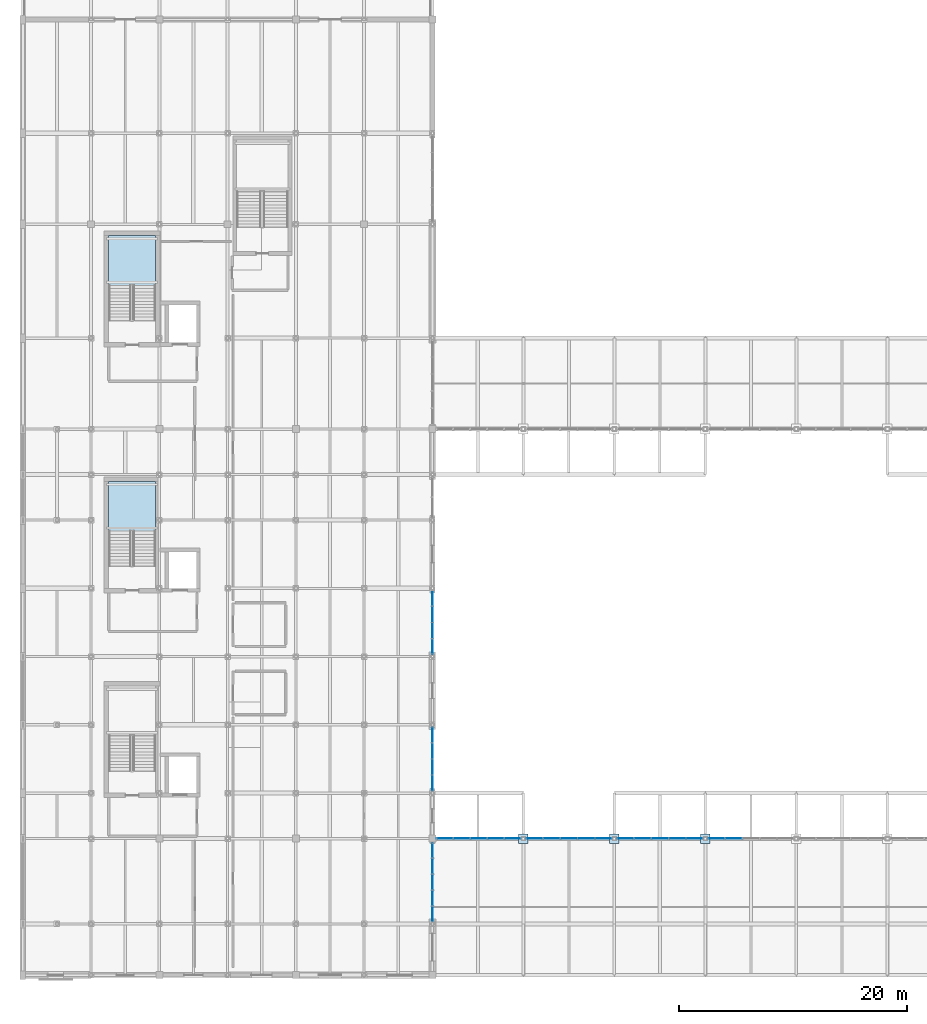
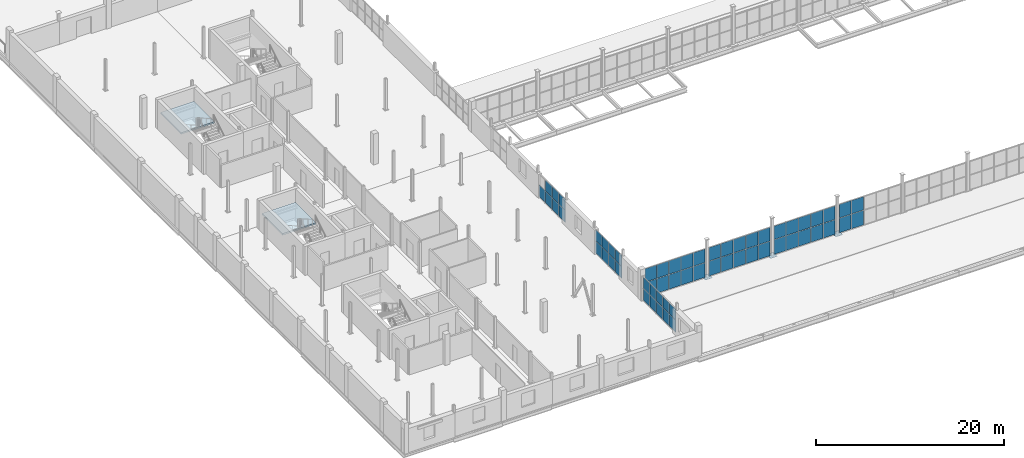
# One storey, part 74 of 96: 62 plates, 2 slabs, 9 elements without a shape of their own.
"""IFC4 building model written with IfcOpenShell, lengths in metres."""

from ifc_helpers import new_model, si_unit, direction, frame, origin, origin_2d, place, context, subcontext, project, spatial, polyline, rectangle, outline, extrude, material, layer, layer_set, type_object, element, aggregate, save


model = new_model("IFC4")

# Units and contexts
model_context = context("Model", 3, precision=1e-05, world=origin(), true_north=direction((0.0, 1.0)))
body_context = subcontext(model_context, "Body", "Model", "MODEL_VIEW")
ifc_project = project(units=[si_unit("LENGTHUNIT", "METRE"), si_unit("AREAUNIT", "SQUARE_METRE"), si_unit("VOLUMEUNIT", "CUBIC_METRE"), si_unit("PLANEANGLEUNIT", "RADIAN"), si_unit("MASSUNIT", "GRAM", prefix="KILO")], contexts=[model_context])

# Site, building, storey
site_placement = place(None, origin())
site = spatial("IfcSite", under=ifc_project, at=site_placement, CompositionType="ELEMENT")
building_placement = place(site_placement, origin())
building = spatial("IfcBuilding", under=site, at=building_placement, Name="Verrall Gate Interchange", CompositionType="ELEMENT")
storey_placement = place(building_placement, frame((0.0, 0.0, 11.39990234375)))
storey = spatial("IfcBuildingStorey", under=building, at=storey_placement, Name="L03", CompositionType="ELEMENT", Elevation=11.39990234375)

# Plates
ifc_material_1 = material(Name="Structural Steel CSA G40.21 350WT Cat 4", Category="steel")
ifc_layer_1 = layer(ifc_material_1, 0.050048828125)
ifc_layer_set_1 = layer_set([ifc_layer_1], Name="Structural Steel CSA G40.21 350WT Cat 4")
plate_type_1 = type_object("IfcPlateType", Name="BP-02 Base Plate 50", PredefinedType="USERDEFINED", material=ifc_layer_set_1)
for number, where, z_axis, x_axis, name in (
    (1, (44.0, 12.0, 0.0), (0.0, 0.0, 1.0), (1.0, 0.0, 0.0), "Concourse Column Base Plate 1511"),
    (2, (52.0, 12.0, 0.0), (0.0, 0.0, 1.0), (1.0, 0.0, 0.0), "Concourse Column Base Plate 1513"),
    (3, (60.0, 12.0, 0.0), (0.0, 0.0, 1.0), (1.0, 0.0, 0.0), "Concourse Column Base Plate 1515"),
):
    element("IfcPlate", number, at=place(storey_placement, frame(where, z_axis=z_axis, x_axis=x_axis)), inside=storey, type_object=plate_type_1, Name=name, ObjectType="BASE_PLATE", PredefinedType="USERDEFINED", context=body_context, shape_type="SweptSolid", body=[
        extrude(rectangle(XDim=0.85009765625, YDim=0.85009765625, at=origin_2d()), origin(), (0.0, 0.0, 1.0), 0.050048828125),
    ])

# Curtain wall, plates
ifc_material_2 = material(Name="Thermally Broken Anodized Aluminium Curtain Wall Framing", Category="aluminium")
curtain_wall_type_1 = type_object("IfcCurtainWallType", Name="CW-31 Unitized Curtain Wall 5682x3110", PredefinedType="NOTDEFINED", material=ifc_material_2)
curtain_wall_1_placement = place(storey_placement, origin())
curtain_wall_1 = element("IfcCurtainWall", 4, at=curtain_wall_1_placement, inside=storey, type_object=curtain_wall_type_1, Name="L03 Unitized Curtain Wall CW-L03-104", PredefinedType="NOTDEFINED")
ifc_material_3 = material(Name="Triple-Glazed Low-E Argon Insulated Curtain Panel (U=1.45)", Category="glass")
ifc_layer_2 = layer(ifc_material_3, 0.030029296875)
ifc_layer_set_2 = layer_set([ifc_layer_2], Name="Triple-Glazed Low-E Argon Insulated Curtain Panel (U=1.45)")
plate_type_2 = type_object("IfcPlateType", Name="CP-01 Curtain Glazing Panel 30", PredefinedType="CURTAIN_PANEL", material=ifc_layer_set_2)
plate_1_placement = place(storey_placement, frame((36.0, 16.885498046875, 0.0546875), z_axis=(0.0, 0.0, 1.0), x_axis=(0.0, 1.0, 0.0)))
plate_1 = element("IfcPlate", 5, at=plate_1_placement, type_object=plate_type_2, Name="CW-L03-104 Glazing Panel 1.1", PredefinedType="CURTAIN_PANEL", context=body_context, shape_type="SweptSolid", body=[
    extrude(rectangle(XDim=1.34375, YDim=0.030029296875, at=origin_2d()), origin(), (0.0, 0.0, 1.0), 1.54052734375),
])
plate_2_placement = place(storey_placement, frame((36.0, 16.885498046875, 1.639404296875), z_axis=(0.0, 0.0, 1.0), x_axis=(0.0, 1.0, 0.0)))
plate_2 = element("IfcPlate", 6, at=plate_2_placement, type_object=plate_type_2, Name="CW-L03-104 Glazing Panel 1.2", PredefinedType="CURTAIN_PANEL", context=body_context, shape_type="SweptSolid", body=[
    extrude(rectangle(XDim=1.34375, YDim=0.030029296875, at=origin_2d()), origin(), (0.0, 0.0, 1.0), 1.416015625),
])
plate_3_placement = place(storey_placement, frame((36.0, 18.289794921875, 0.0546875), z_axis=(0.0, 0.0, 1.0), x_axis=(0.0, 1.0, 0.0)))
plate_3 = element("IfcPlate", 7, at=plate_3_placement, type_object=plate_type_2, Name="CW-L03-104 Glazing Panel 2.1", PredefinedType="CURTAIN_PANEL", context=body_context, shape_type="SweptSolid", body=[
    extrude(rectangle(XDim=1.376220703125, YDim=0.030029296875, at=origin_2d()), origin(), (0.0, 0.0, 1.0), 1.54052734375),
])
plate_4_placement = place(storey_placement, frame((36.0, 18.289794921875, 1.639404296875), z_axis=(0.0, 0.0, 1.0), x_axis=(0.0, 1.0, 0.0)))
plate_4 = element("IfcPlate", 8, at=plate_4_placement, type_object=plate_type_2, Name="CW-L03-104 Glazing Panel 2.2", PredefinedType="CURTAIN_PANEL", context=body_context, shape_type="SweptSolid", body=[
    extrude(rectangle(XDim=1.376220703125, YDim=0.030029296875, at=origin_2d()), origin(), (0.0, 0.0, 1.0), 1.416015625),
])
plate_5_placement = place(storey_placement, frame((36.0, 19.710205078125, 0.0546875), z_axis=(0.0, 0.0, 1.0), x_axis=(0.0, 1.0, 0.0)))
plate_5 = element("IfcPlate", 9, at=plate_5_placement, type_object=plate_type_2, Name="CW-L03-104 Glazing Panel 3.1", PredefinedType="CURTAIN_PANEL", context=body_context, shape_type="SweptSolid", body=[
    extrude(rectangle(XDim=1.376220703125, YDim=0.030029296875, at=origin_2d()), origin(), (0.0, 0.0, 1.0), 1.54052734375),
])
plate_6_placement = place(storey_placement, frame((36.0, 19.710205078125, 1.639404296875), z_axis=(0.0, 0.0, 1.0), x_axis=(0.0, 1.0, 0.0)))
plate_6 = element("IfcPlate", 10, at=plate_6_placement, type_object=plate_type_2, Name="CW-L03-104 Glazing Panel 3.2", PredefinedType="CURTAIN_PANEL", context=body_context, shape_type="SweptSolid", body=[
    extrude(rectangle(XDim=1.376220703125, YDim=0.030029296875, at=origin_2d()), origin(), (0.0, 0.0, 1.0), 1.416015625),
])
plate_7_placement = place(storey_placement, frame((36.0, 21.114501953125, 0.0546875), z_axis=(0.0, 0.0, 1.0), x_axis=(0.0, 1.0, 0.0)))
plate_7 = element("IfcPlate", 11, at=plate_7_placement, type_object=plate_type_2, Name="CW-L03-104 Glazing Panel 4.1", PredefinedType="CURTAIN_PANEL", context=body_context, shape_type="SweptSolid", body=[
    extrude(rectangle(XDim=1.34375, YDim=0.030029296875, at=origin_2d()), origin(), (0.0, 0.0, 1.0), 1.54052734375),
])
plate_8_placement = place(storey_placement, frame((36.0, 21.114501953125, 1.639404296875), z_axis=(0.0, 0.0, 1.0), x_axis=(0.0, 1.0, 0.0)))
plate_8 = element("IfcPlate", 12, at=plate_8_placement, type_object=plate_type_2, Name="CW-L03-104 Glazing Panel 4.2", PredefinedType="CURTAIN_PANEL", context=body_context, shape_type="SweptSolid", body=[
    extrude(rectangle(XDim=1.34375, YDim=0.030029296875, at=origin_2d()), origin(), (0.0, 0.0, 1.0), 1.416015625),
])
aggregate(curtain_wall_1, [plate_1, plate_2, plate_3, plate_4, plate_5, plate_6, plate_7, plate_8])

curtain_wall_2_placement = place(storey_placement, origin())
curtain_wall_2 = element("IfcCurtainWall", 13, at=curtain_wall_2_placement, inside=storey, type_object=curtain_wall_type_1, Name="L03 Unitized Curtain Wall CW-L03-105", PredefinedType="NOTDEFINED")
plate_9_placement = place(storey_placement, frame((36.0, 28.887939453125, 0.06298828125), z_axis=(0.0, 0.0, 1.0), x_axis=(0.0, 1.0, 0.0)))
plate_9 = element("IfcPlate", 14, at=plate_9_placement, type_object=plate_type_2, Name="CW-L03-105 Glazing Panel 1.1", PredefinedType="CURTAIN_PANEL", context=body_context, shape_type="SweptSolid", body=[
    extrude(rectangle(XDim=1.33203125, YDim=0.030029296875, at=origin_2d()), origin(), (0.0, 0.0, 1.0), 1.52880859375),
])
plate_10_placement = place(storey_placement, frame((36.0, 28.887939453125, 1.642822265625), z_axis=(0.0, 0.0, 1.0), x_axis=(0.0, 1.0, 0.0)))
plate_10 = element("IfcPlate", 15, at=plate_10_placement, type_object=plate_type_2, Name="CW-L03-105 Glazing Panel 1.2", PredefinedType="CURTAIN_PANEL", context=body_context, shape_type="SweptSolid", body=[
    extrude(rectangle(XDim=1.33203125, YDim=0.030029296875, at=origin_2d()), origin(), (0.0, 0.0, 1.0), 1.404296875),
])
plate_11_placement = place(storey_placement, frame((36.0, 30.289794921875, 0.06298828125), z_axis=(0.0, 0.0, 1.0), x_axis=(0.0, 1.0, 0.0)))
plate_11 = element("IfcPlate", 16, at=plate_11_placement, type_object=plate_type_2, Name="CW-L03-105 Glazing Panel 2.1", PredefinedType="CURTAIN_PANEL", context=body_context, shape_type="SweptSolid", body=[
    extrude(rectangle(XDim=1.369384765625, YDim=0.030029296875, at=origin_2d()), origin(), (0.0, 0.0, 1.0), 1.52880859375),
])
plate_12_placement = place(storey_placement, frame((36.0, 30.289794921875, 1.642822265625), z_axis=(0.0, 0.0, 1.0), x_axis=(0.0, 1.0, 0.0)))
plate_12 = element("IfcPlate", 17, at=plate_12_placement, type_object=plate_type_2, Name="CW-L03-105 Glazing Panel 2.2", PredefinedType="CURTAIN_PANEL", context=body_context, shape_type="SweptSolid", body=[
    extrude(rectangle(XDim=1.369384765625, YDim=0.030029296875, at=origin_2d()), origin(), (0.0, 0.0, 1.0), 1.404296875),
])
plate_13_placement = place(storey_placement, frame((36.0, 31.710205078125, 0.06298828125), z_axis=(0.0, 0.0, 1.0), x_axis=(0.0, 1.0, 0.0)))
plate_13 = element("IfcPlate", 18, at=plate_13_placement, type_object=plate_type_2, Name="CW-L03-105 Glazing Panel 3.1", PredefinedType="CURTAIN_PANEL", context=body_context, shape_type="SweptSolid", body=[
    extrude(rectangle(XDim=1.369384765625, YDim=0.030029296875, at=origin_2d()), origin(), (0.0, 0.0, 1.0), 1.52880859375),
])
plate_14_placement = place(storey_placement, frame((36.0, 31.710205078125, 1.642822265625), z_axis=(0.0, 0.0, 1.0), x_axis=(0.0, 1.0, 0.0)))
plate_14 = element("IfcPlate", 19, at=plate_14_placement, type_object=plate_type_2, Name="CW-L03-105 Glazing Panel 3.2", PredefinedType="CURTAIN_PANEL", context=body_context, shape_type="SweptSolid", body=[
    extrude(rectangle(XDim=1.369384765625, YDim=0.030029296875, at=origin_2d()), origin(), (0.0, 0.0, 1.0), 1.404296875),
])
plate_15_placement = place(storey_placement, frame((36.0, 33.112060546875, 0.06298828125), z_axis=(0.0, 0.0, 1.0), x_axis=(0.0, 1.0, 0.0)))
plate_15 = element("IfcPlate", 20, at=plate_15_placement, type_object=plate_type_2, Name="CW-L03-105 Glazing Panel 4.1", PredefinedType="CURTAIN_PANEL", context=body_context, shape_type="SweptSolid", body=[
    extrude(rectangle(XDim=1.33203125, YDim=0.030029296875, at=origin_2d()), origin(), (0.0, 0.0, 1.0), 1.52880859375),
])
aggregate(curtain_wall_2, [plate_9, plate_10, plate_11, plate_12, plate_13, plate_14, plate_15])

ifc_material_4 = material(Name="Thermally Broken Anodized Aluminium Curtain Wall Framing", Category="aluminium")
curtain_wall_type_2 = type_object("IfcCurtainWallType", Name="CW-52 Unitized Curtain Wall 7484x3800", PredefinedType="NOTDEFINED", material=ifc_material_4)
curtain_wall_3_placement = place(storey_placement, origin())
curtain_wall_3 = element("IfcCurtainWall", 21, at=curtain_wall_3_placement, inside=storey, type_object=curtain_wall_type_2, Name="L03 Unitized Curtain Wall CW-L03-CLR-164", PredefinedType="NOTDEFINED")
plate_16_placement = place(storey_placement, frame((37.09912109375, 12.0, 0.06298828125), z_axis=(0.0, 0.0, 1.0), x_axis=(1.0, 0.0, 0.0)))
plate_16 = element("IfcPlate", 22, at=plate_16_placement, type_object=plate_type_2, Name="CW-L03-CLR-164 Glazing Panel 1.1", PredefinedType="CURTAIN_PANEL", context=body_context, shape_type="SweptSolid", body=[
    extrude(rectangle(XDim=1.408203125, YDim=0.030029296875, at=origin_2d()), origin(), (0.0, 0.0, 1.0), 1.887451171875),
])
plate_17_placement = place(storey_placement, frame((37.09912109375, 12.0, 2.00146484375), z_axis=(0.0, 0.0, 1.0), x_axis=(1.0, 0.0, 0.0)))
plate_17 = element("IfcPlate", 23, at=plate_17_placement, type_object=plate_type_2, Name="CW-L03-CLR-164 Glazing Panel 1.2", PredefinedType="CURTAIN_PANEL", context=body_context, shape_type="SweptSolid", body=[
    extrude(rectangle(XDim=1.408203125, YDim=0.030029296875, at=origin_2d()), origin(), (0.0, 0.0, 1.0), 1.735595703125),
])
plate_18_placement = place(storey_placement, frame((38.576904296875, 12.0, 0.06298828125), z_axis=(0.0, 0.0, 1.0), x_axis=(1.0, 0.0, 0.0)))
plate_18 = element("IfcPlate", 24, at=plate_18_placement, type_object=plate_type_2, Name="CW-L03-CLR-164 Glazing Panel 2.1", PredefinedType="CURTAIN_PANEL", context=body_context, shape_type="SweptSolid", body=[
    extrude(rectangle(XDim=1.44580078125, YDim=0.030029296875, at=origin_2d()), origin(), (0.0, 0.0, 1.0), 1.887451171875),
])
plate_19_placement = place(storey_placement, frame((38.576904296875, 12.0, 2.00146484375), z_axis=(0.0, 0.0, 1.0), x_axis=(1.0, 0.0, 0.0)))
plate_19 = element("IfcPlate", 25, at=plate_19_placement, type_object=plate_type_2, Name="CW-L03-CLR-164 Glazing Panel 2.2", PredefinedType="CURTAIN_PANEL", context=body_context, shape_type="SweptSolid", body=[
    extrude(rectangle(XDim=1.44580078125, YDim=0.030029296875, at=origin_2d()), origin(), (0.0, 0.0, 1.0), 1.735595703125),
])
plate_20_placement = place(storey_placement, frame((40.07373046875, 12.0, 0.06298828125), z_axis=(0.0, 0.0, 1.0), x_axis=(1.0, 0.0, 0.0)))
plate_20 = element("IfcPlate", 26, at=plate_20_placement, type_object=plate_type_2, Name="CW-L03-CLR-164 Glazing Panel 3.1", PredefinedType="CURTAIN_PANEL", context=body_context, shape_type="SweptSolid", body=[
    extrude(rectangle(XDim=1.44580078125, YDim=0.030029296875, at=origin_2d()), origin(), (0.0, 0.0, 1.0), 1.887451171875),
])
plate_21_placement = place(storey_placement, frame((40.07373046875, 12.0, 2.00146484375), z_axis=(0.0, 0.0, 1.0), x_axis=(1.0, 0.0, 0.0)))
plate_21 = element("IfcPlate", 27, at=plate_21_placement, type_object=plate_type_2, Name="CW-L03-CLR-164 Glazing Panel 3.2", PredefinedType="CURTAIN_PANEL", context=body_context, shape_type="SweptSolid", body=[
    extrude(rectangle(XDim=1.44580078125, YDim=0.030029296875, at=origin_2d()), origin(), (0.0, 0.0, 1.0), 1.735595703125),
])
plate_22_placement = place(storey_placement, frame((41.570556640625, 12.0, 0.06298828125), z_axis=(0.0, 0.0, 1.0), x_axis=(1.0, 0.0, 0.0)))
plate_22 = element("IfcPlate", 28, at=plate_22_placement, type_object=plate_type_2, Name="CW-L03-CLR-164 Glazing Panel 4.1", PredefinedType="CURTAIN_PANEL", context=body_context, shape_type="SweptSolid", body=[
    extrude(rectangle(XDim=1.44580078125, YDim=0.030029296875, at=origin_2d()), origin(), (0.0, 0.0, 1.0), 1.887451171875),
])
plate_23_placement = place(storey_placement, frame((41.570556640625, 12.0, 2.00146484375), z_axis=(0.0, 0.0, 1.0), x_axis=(1.0, 0.0, 0.0)))
plate_23 = element("IfcPlate", 29, at=plate_23_placement, type_object=plate_type_2, Name="CW-L03-CLR-164 Glazing Panel 4.2", PredefinedType="CURTAIN_PANEL", context=body_context, shape_type="SweptSolid", body=[
    extrude(rectangle(XDim=1.44580078125, YDim=0.030029296875, at=origin_2d()), origin(), (0.0, 0.0, 1.0), 1.735595703125),
])
plate_24_placement = place(storey_placement, frame((43.04833984375, 12.0, 0.06298828125), z_axis=(0.0, 0.0, 1.0), x_axis=(1.0, 0.0, 0.0)))
plate_24 = element("IfcPlate", 30, at=plate_24_placement, type_object=plate_type_2, Name="CW-L03-CLR-164 Glazing Panel 5.1", PredefinedType="CURTAIN_PANEL", context=body_context, shape_type="SweptSolid", body=[
    extrude(rectangle(XDim=1.408203125, YDim=0.030029296875, at=origin_2d()), origin(), (0.0, 0.0, 1.0), 1.887451171875),
])
plate_25_placement = place(storey_placement, frame((43.04833984375, 12.0, 2.00146484375), z_axis=(0.0, 0.0, 1.0), x_axis=(1.0, 0.0, 0.0)))
plate_25 = element("IfcPlate", 31, at=plate_25_placement, type_object=plate_type_2, Name="CW-L03-CLR-164 Glazing Panel 5.2", PredefinedType="CURTAIN_PANEL", context=body_context, shape_type="SweptSolid", body=[
    extrude(rectangle(XDim=1.408203125, YDim=0.030029296875, at=origin_2d()), origin(), (0.0, 0.0, 1.0), 1.735595703125),
])
aggregate(curtain_wall_3, [plate_16, plate_17, plate_18, plate_19, plate_20, plate_21, plate_22, plate_23, plate_24, plate_25])

ifc_material_5 = material(Name="Thermally Broken Anodized Aluminium Curtain Wall Framing", Category="aluminium")
curtain_wall_type_3 = type_object("IfcCurtainWallType", Name="CW-53 Unitized Curtain Wall 7631x3800", PredefinedType="NOTDEFINED", material=ifc_material_5)
curtain_wall_4_placement = place(storey_placement, origin())
curtain_wall_4 = element("IfcCurtainWall", 32, at=curtain_wall_4_placement, inside=storey, type_object=curtain_wall_type_3, Name="L03 Unitized Curtain Wall CW-L03-CLR-165", PredefinedType="NOTDEFINED")
plate_26_placement = place(storey_placement, frame((44.96630859375, 12.0, 0.06298828125), z_axis=(0.0, 0.0, 1.0), x_axis=(1.0, 0.0, 0.0)))
plate_26 = element("IfcPlate", 33, at=plate_26_placement, type_object=plate_type_2, Name="CW-L03-CLR-165 Glazing Panel 1.1", PredefinedType="CURTAIN_PANEL", context=body_context, shape_type="SweptSolid", body=[
    extrude(rectangle(XDim=1.437744140625, YDim=0.030029296875, at=origin_2d()), origin(), (0.0, 0.0, 1.0), 1.887451171875),
])
plate_27_placement = place(storey_placement, frame((44.96630859375, 12.0, 2.00146484375), z_axis=(0.0, 0.0, 1.0), x_axis=(1.0, 0.0, 0.0)))
plate_27 = element("IfcPlate", 34, at=plate_27_placement, type_object=plate_type_2, Name="CW-L03-CLR-165 Glazing Panel 1.2", PredefinedType="CURTAIN_PANEL", context=body_context, shape_type="SweptSolid", body=[
    extrude(rectangle(XDim=1.437744140625, YDim=0.030029296875, at=origin_2d()), origin(), (0.0, 0.0, 1.0), 1.735595703125),
])
plate_28_placement = place(storey_placement, frame((46.473876953125, 12.0, 0.06298828125), z_axis=(0.0, 0.0, 1.0), x_axis=(1.0, 0.0, 0.0)))
plate_28 = element("IfcPlate", 35, at=plate_28_placement, type_object=plate_type_2, Name="CW-L03-CLR-165 Glazing Panel 2.1", PredefinedType="CURTAIN_PANEL", context=body_context, shape_type="SweptSolid", body=[
    extrude(rectangle(XDim=1.47509765625, YDim=0.030029296875, at=origin_2d()), origin(), (0.0, 0.0, 1.0), 1.887451171875),
])
plate_29_placement = place(storey_placement, frame((46.473876953125, 12.0, 2.00146484375), z_axis=(0.0, 0.0, 1.0), x_axis=(1.0, 0.0, 0.0)))
plate_29 = element("IfcPlate", 36, at=plate_29_placement, type_object=plate_type_2, Name="CW-L03-CLR-165 Glazing Panel 2.2", PredefinedType="CURTAIN_PANEL", context=body_context, shape_type="SweptSolid", body=[
    extrude(rectangle(XDim=1.47509765625, YDim=0.030029296875, at=origin_2d()), origin(), (0.0, 0.0, 1.0), 1.735595703125),
])
plate_30_placement = place(storey_placement, frame((48.0, 12.0, 0.06298828125), z_axis=(0.0, 0.0, 1.0), x_axis=(1.0, 0.0, 0.0)))
plate_30 = element("IfcPlate", 37, at=plate_30_placement, type_object=plate_type_2, Name="CW-L03-CLR-165 Glazing Panel 3.1", PredefinedType="CURTAIN_PANEL", context=body_context, shape_type="SweptSolid", body=[
    extrude(rectangle(XDim=1.47509765625, YDim=0.030029296875, at=origin_2d()), origin(), (0.0, 0.0, 1.0), 1.887451171875),
])
plate_31_placement = place(storey_placement, frame((48.0, 12.0, 2.00146484375), z_axis=(0.0, 0.0, 1.0), x_axis=(1.0, 0.0, 0.0)))
plate_31 = element("IfcPlate", 38, at=plate_31_placement, type_object=plate_type_2, Name="CW-L03-CLR-165 Glazing Panel 3.2", PredefinedType="CURTAIN_PANEL", context=body_context, shape_type="SweptSolid", body=[
    extrude(rectangle(XDim=1.47509765625, YDim=0.030029296875, at=origin_2d()), origin(), (0.0, 0.0, 1.0), 1.735595703125),
])
plate_32_placement = place(storey_placement, frame((49.526123046875, 12.0, 0.06298828125), z_axis=(0.0, 0.0, 1.0), x_axis=(1.0, 0.0, 0.0)))
plate_32 = element("IfcPlate", 39, at=plate_32_placement, type_object=plate_type_2, Name="CW-L03-CLR-165 Glazing Panel 4.1", PredefinedType="CURTAIN_PANEL", context=body_context, shape_type="SweptSolid", body=[
    extrude(rectangle(XDim=1.47509765625, YDim=0.030029296875, at=origin_2d()), origin(), (0.0, 0.0, 1.0), 1.887451171875),
])
plate_33_placement = place(storey_placement, frame((49.526123046875, 12.0, 2.00146484375), z_axis=(0.0, 0.0, 1.0), x_axis=(1.0, 0.0, 0.0)))
plate_33 = element("IfcPlate", 40, at=plate_33_placement, type_object=plate_type_2, Name="CW-L03-CLR-165 Glazing Panel 4.2", PredefinedType="CURTAIN_PANEL", context=body_context, shape_type="SweptSolid", body=[
    extrude(rectangle(XDim=1.47509765625, YDim=0.030029296875, at=origin_2d()), origin(), (0.0, 0.0, 1.0), 1.735595703125),
])
plate_34_placement = place(storey_placement, frame((51.03369140625, 12.0, 0.06298828125), z_axis=(0.0, 0.0, 1.0), x_axis=(1.0, 0.0, 0.0)))
plate_34 = element("IfcPlate", 41, at=plate_34_placement, type_object=plate_type_2, Name="CW-L03-CLR-165 Glazing Panel 5.1", PredefinedType="CURTAIN_PANEL", context=body_context, shape_type="SweptSolid", body=[
    extrude(rectangle(XDim=1.437744140625, YDim=0.030029296875, at=origin_2d()), origin(), (0.0, 0.0, 1.0), 1.887451171875),
])
plate_35_placement = place(storey_placement, frame((51.03369140625, 12.0, 2.00146484375), z_axis=(0.0, 0.0, 1.0), x_axis=(1.0, 0.0, 0.0)))
plate_35 = element("IfcPlate", 42, at=plate_35_placement, type_object=plate_type_2, Name="CW-L03-CLR-165 Glazing Panel 5.2", PredefinedType="CURTAIN_PANEL", context=body_context, shape_type="SweptSolid", body=[
    extrude(rectangle(XDim=1.437744140625, YDim=0.030029296875, at=origin_2d()), origin(), (0.0, 0.0, 1.0), 1.735595703125),
])
aggregate(curtain_wall_4, [plate_26, plate_27, plate_28, plate_29, plate_30, plate_31, plate_32, plate_33, plate_34, plate_35])

curtain_wall_5_placement = place(storey_placement, origin())
curtain_wall_5 = element("IfcCurtainWall", 43, at=curtain_wall_5_placement, inside=storey, type_object=curtain_wall_type_3, Name="L03 Unitized Curtain Wall CW-L03-CLR-166", PredefinedType="NOTDEFINED")
plate_36_placement = place(storey_placement, frame((52.96630859375, 12.0, 0.06298828125), z_axis=(0.0, 0.0, 1.0), x_axis=(1.0, 0.0, 0.0)))
plate_36 = element("IfcPlate", 44, at=plate_36_placement, type_object=plate_type_2, Name="CW-L03-CLR-166 Glazing Panel 1.1", PredefinedType="CURTAIN_PANEL", context=body_context, shape_type="SweptSolid", body=[
    extrude(rectangle(XDim=1.437744140625, YDim=0.030029296875, at=origin_2d()), origin(), (0.0, 0.0, 1.0), 1.887451171875),
])
plate_37_placement = place(storey_placement, frame((52.96630859375, 12.0, 2.00146484375), z_axis=(0.0, 0.0, 1.0), x_axis=(1.0, 0.0, 0.0)))
plate_37 = element("IfcPlate", 45, at=plate_37_placement, type_object=plate_type_2, Name="CW-L03-CLR-166 Glazing Panel 1.2", PredefinedType="CURTAIN_PANEL", context=body_context, shape_type="SweptSolid", body=[
    extrude(rectangle(XDim=1.437744140625, YDim=0.030029296875, at=origin_2d()), origin(), (0.0, 0.0, 1.0), 1.735595703125),
])
plate_38_placement = place(storey_placement, frame((54.473876953125, 12.0, 0.06298828125), z_axis=(0.0, 0.0, 1.0), x_axis=(1.0, 0.0, 0.0)))
plate_38 = element("IfcPlate", 46, at=plate_38_placement, type_object=plate_type_2, Name="CW-L03-CLR-166 Glazing Panel 2.1", PredefinedType="CURTAIN_PANEL", context=body_context, shape_type="SweptSolid", body=[
    extrude(rectangle(XDim=1.47509765625, YDim=0.030029296875, at=origin_2d()), origin(), (0.0, 0.0, 1.0), 1.887451171875),
])
plate_39_placement = place(storey_placement, frame((54.473876953125, 12.0, 2.00146484375), z_axis=(0.0, 0.0, 1.0), x_axis=(1.0, 0.0, 0.0)))
plate_39 = element("IfcPlate", 47, at=plate_39_placement, type_object=plate_type_2, Name="CW-L03-CLR-166 Glazing Panel 2.2", PredefinedType="CURTAIN_PANEL", context=body_context, shape_type="SweptSolid", body=[
    extrude(rectangle(XDim=1.47509765625, YDim=0.030029296875, at=origin_2d()), origin(), (0.0, 0.0, 1.0), 1.735595703125),
])
plate_40_placement = place(storey_placement, frame((56.0, 12.0, 0.06298828125), z_axis=(0.0, 0.0, 1.0), x_axis=(1.0, 0.0, 0.0)))
plate_40 = element("IfcPlate", 48, at=plate_40_placement, type_object=plate_type_2, Name="CW-L03-CLR-166 Glazing Panel 3.1", PredefinedType="CURTAIN_PANEL", context=body_context, shape_type="SweptSolid", body=[
    extrude(rectangle(XDim=1.47509765625, YDim=0.030029296875, at=origin_2d()), origin(), (0.0, 0.0, 1.0), 1.887451171875),
])
plate_41_placement = place(storey_placement, frame((56.0, 12.0, 2.00146484375), z_axis=(0.0, 0.0, 1.0), x_axis=(1.0, 0.0, 0.0)))
plate_41 = element("IfcPlate", 49, at=plate_41_placement, type_object=plate_type_2, Name="CW-L03-CLR-166 Glazing Panel 3.2", PredefinedType="CURTAIN_PANEL", context=body_context, shape_type="SweptSolid", body=[
    extrude(rectangle(XDim=1.47509765625, YDim=0.030029296875, at=origin_2d()), origin(), (0.0, 0.0, 1.0), 1.735595703125),
])
plate_42_placement = place(storey_placement, frame((57.526123046875, 12.0, 0.06298828125), z_axis=(0.0, 0.0, 1.0), x_axis=(1.0, 0.0, 0.0)))
plate_42 = element("IfcPlate", 50, at=plate_42_placement, type_object=plate_type_2, Name="CW-L03-CLR-166 Glazing Panel 4.1", PredefinedType="CURTAIN_PANEL", context=body_context, shape_type="SweptSolid", body=[
    extrude(rectangle(XDim=1.47509765625, YDim=0.030029296875, at=origin_2d()), origin(), (0.0, 0.0, 1.0), 1.887451171875),
])
plate_43_placement = place(storey_placement, frame((57.526123046875, 12.0, 2.00146484375), z_axis=(0.0, 0.0, 1.0), x_axis=(1.0, 0.0, 0.0)))
plate_43 = element("IfcPlate", 51, at=plate_43_placement, type_object=plate_type_2, Name="CW-L03-CLR-166 Glazing Panel 4.2", PredefinedType="CURTAIN_PANEL", context=body_context, shape_type="SweptSolid", body=[
    extrude(rectangle(XDim=1.47509765625, YDim=0.030029296875, at=origin_2d()), origin(), (0.0, 0.0, 1.0), 1.735595703125),
])
plate_44_placement = place(storey_placement, frame((59.03369140625, 12.0, 0.06298828125), z_axis=(0.0, 0.0, 1.0), x_axis=(1.0, 0.0, 0.0)))
plate_44 = element("IfcPlate", 52, at=plate_44_placement, type_object=plate_type_2, Name="CW-L03-CLR-166 Glazing Panel 5.1", PredefinedType="CURTAIN_PANEL", context=body_context, shape_type="SweptSolid", body=[
    extrude(rectangle(XDim=1.437744140625, YDim=0.030029296875, at=origin_2d()), origin(), (0.0, 0.0, 1.0), 1.887451171875),
])
plate_45_placement = place(storey_placement, frame((59.03369140625, 12.0, 2.00146484375), z_axis=(0.0, 0.0, 1.0), x_axis=(1.0, 0.0, 0.0)))
plate_45 = element("IfcPlate", 53, at=plate_45_placement, type_object=plate_type_2, Name="CW-L03-CLR-166 Glazing Panel 5.2", PredefinedType="CURTAIN_PANEL", context=body_context, shape_type="SweptSolid", body=[
    extrude(rectangle(XDim=1.437744140625, YDim=0.030029296875, at=origin_2d()), origin(), (0.0, 0.0, 1.0), 1.735595703125),
])
aggregate(curtain_wall_5, [plate_36, plate_37, plate_38, plate_39, plate_40, plate_41, plate_42, plate_43, plate_44, plate_45])

curtain_wall_6_placement = place(storey_placement, origin())
curtain_wall_6 = element("IfcCurtainWall", 54, at=curtain_wall_6_placement, inside=storey, type_object=curtain_wall_type_3, Name="L03 Unitized Curtain Wall CW-L03-CLR-167", PredefinedType="NOTDEFINED")
plate_46_placement = place(storey_placement, frame((60.96630859375, 12.0, 0.06298828125), z_axis=(0.0, 0.0, 1.0), x_axis=(1.0, 0.0, 0.0)))
plate_46 = element("IfcPlate", 55, at=plate_46_placement, type_object=plate_type_2, Name="CW-L03-CLR-167 Glazing Panel 1.1", PredefinedType="CURTAIN_PANEL", context=body_context, shape_type="SweptSolid", body=[
    extrude(rectangle(XDim=1.437744140625, YDim=0.030029296875, at=origin_2d()), origin(), (0.0, 0.0, 1.0), 1.887451171875),
])
plate_47_placement = place(storey_placement, frame((60.96630859375, 12.0, 2.00146484375), z_axis=(0.0, 0.0, 1.0), x_axis=(1.0, 0.0, 0.0)))
plate_47 = element("IfcPlate", 56, at=plate_47_placement, type_object=plate_type_2, Name="CW-L03-CLR-167 Glazing Panel 1.2", PredefinedType="CURTAIN_PANEL", context=body_context, shape_type="SweptSolid", body=[
    extrude(rectangle(XDim=1.437744140625, YDim=0.030029296875, at=origin_2d()), origin(), (0.0, 0.0, 1.0), 1.735595703125),
])
plate_48_placement = place(storey_placement, frame((62.473876953125, 12.0, 0.06298828125), z_axis=(0.0, 0.0, 1.0), x_axis=(1.0, 0.0, 0.0)))
plate_48 = element("IfcPlate", 57, at=plate_48_placement, type_object=plate_type_2, Name="CW-L03-CLR-167 Glazing Panel 2.1", PredefinedType="CURTAIN_PANEL", context=body_context, shape_type="SweptSolid", body=[
    extrude(rectangle(XDim=1.47509765625, YDim=0.030029296875, at=origin_2d()), origin(), (0.0, 0.0, 1.0), 1.887451171875),
])
plate_49_placement = place(storey_placement, frame((62.473876953125, 12.0, 2.00146484375), z_axis=(0.0, 0.0, 1.0), x_axis=(1.0, 0.0, 0.0)))
plate_49 = element("IfcPlate", 58, at=plate_49_placement, type_object=plate_type_2, Name="CW-L03-CLR-167 Glazing Panel 2.2", PredefinedType="CURTAIN_PANEL", context=body_context, shape_type="SweptSolid", body=[
    extrude(rectangle(XDim=1.47509765625, YDim=0.030029296875, at=origin_2d()), origin(), (0.0, 0.0, 1.0), 1.735595703125),
])
aggregate(curtain_wall_6, [plate_46, plate_47, plate_48, plate_49])

ifc_material_6 = material(Name="Thermally Broken Anodized Aluminium Curtain Wall Framing", Category="aluminium")
curtain_wall_type_4 = type_object("IfcCurtainWallType", Name="CW-30 Unitized Curtain Wall 7009x3110", PredefinedType="NOTDEFINED", material=ifc_material_6)
curtain_wall_7_placement = place(storey_placement, origin())
curtain_wall_7 = element("IfcCurtainWall", 59, at=curtain_wall_7_placement, inside=storey, type_object=curtain_wall_type_4, Name="L03 Unitized Curtain Wall CW-L03-103", PredefinedType="NOTDEFINED")
ifc_material_7 = material(Name="Triple-Glazed Low-E Argon Insulated Curtain Panel (U=1.45)", Category="glass")
ifc_layer_3 = layer(ifc_material_7, 0.0400390625)
ifc_layer_set_3 = layer_set([ifc_layer_3], Name="Triple-Glazed Low-E Argon Insulated Curtain Panel (U=1.45)")
plate_type_3 = type_object("IfcPlateType", Name="CP-02 Curtain Glazing Panel 40", PredefinedType="CURTAIN_PANEL", material=ifc_layer_set_3)
plate_50_placement = place(storey_placement, frame((36.0, 5.378662109375, 0.06298828125), z_axis=(0.0, 0.0, 1.0), x_axis=(0.0, 1.0, 0.0)))
plate_50 = element("IfcPlate", 60, at=plate_50_placement, type_object=plate_type_3, Name="CW-L03-103 Glazing Panel 1.1", PredefinedType="CURTAIN_PANEL", context=body_context, shape_type="SweptSolid", body=[
    extrude(rectangle(XDim=1.313232421875, YDim=0.0400390625, at=origin_2d()), origin(), (0.0, 0.0, 1.0), 1.52880859375),
])
plate_51_placement = place(storey_placement, frame((36.0, 5.378662109375, 1.642822265625), z_axis=(0.0, 0.0, 1.0), x_axis=(0.0, 1.0, 0.0)))
plate_51 = element("IfcPlate", 61, at=plate_51_placement, type_object=plate_type_3, Name="CW-L03-103 Glazing Panel 1.2", PredefinedType="CURTAIN_PANEL", context=body_context, shape_type="SweptSolid", body=[
    extrude(rectangle(XDim=1.313232421875, YDim=0.0400390625, at=origin_2d()), origin(), (0.0, 0.0, 1.0), 1.404296875),
])
plate_52_placement = place(storey_placement, frame((36.0, 6.76171875, 0.06298828125), z_axis=(0.0, 0.0, 1.0), x_axis=(0.0, 1.0, 0.0)))
plate_52 = element("IfcPlate", 62, at=plate_52_placement, type_object=plate_type_3, Name="CW-L03-103 Glazing Panel 2.1", PredefinedType="CURTAIN_PANEL", context=body_context, shape_type="SweptSolid", body=[
    extrude(rectangle(XDim=1.350830078125, YDim=0.0400390625, at=origin_2d()), origin(), (0.0, 0.0, 1.0), 1.52880859375),
])
plate_53_placement = place(storey_placement, frame((36.0, 6.76171875, 1.642822265625), z_axis=(0.0, 0.0, 1.0), x_axis=(0.0, 1.0, 0.0)))
plate_53 = element("IfcPlate", 63, at=plate_53_placement, type_object=plate_type_3, Name="CW-L03-103 Glazing Panel 2.2", PredefinedType="CURTAIN_PANEL", context=body_context, shape_type="SweptSolid", body=[
    extrude(rectangle(XDim=1.350830078125, YDim=0.0400390625, at=origin_2d()), origin(), (0.0, 0.0, 1.0), 1.404296875),
])
plate_54_placement = place(storey_placement, frame((36.0, 8.16357421875, 0.06298828125), z_axis=(0.0, 0.0, 1.0), x_axis=(0.0, 1.0, 0.0)))
plate_54 = element("IfcPlate", 64, at=plate_54_placement, type_object=plate_type_3, Name="CW-L03-103 Glazing Panel 3.1", PredefinedType="CURTAIN_PANEL", context=body_context, shape_type="SweptSolid", body=[
    extrude(rectangle(XDim=1.350830078125, YDim=0.0400390625, at=origin_2d()), origin(), (0.0, 0.0, 1.0), 1.52880859375),
])
plate_55_placement = place(storey_placement, frame((36.0, 8.16357421875, 1.642822265625), z_axis=(0.0, 0.0, 1.0), x_axis=(0.0, 1.0, 0.0)))
plate_55 = element("IfcPlate", 65, at=plate_55_placement, type_object=plate_type_3, Name="CW-L03-103 Glazing Panel 3.2", PredefinedType="CURTAIN_PANEL", context=body_context, shape_type="SweptSolid", body=[
    extrude(rectangle(XDim=1.350830078125, YDim=0.0400390625, at=origin_2d()), origin(), (0.0, 0.0, 1.0), 1.404296875),
])
plate_56_placement = place(storey_placement, frame((36.0, 9.565185546875, 0.06298828125), z_axis=(0.0, 0.0, 1.0), x_axis=(0.0, 1.0, 0.0)))
plate_56 = element("IfcPlate", 66, at=plate_56_placement, type_object=plate_type_3, Name="CW-L03-103 Glazing Panel 4.1", PredefinedType="CURTAIN_PANEL", context=body_context, shape_type="SweptSolid", body=[
    extrude(rectangle(XDim=1.350830078125, YDim=0.0400390625, at=origin_2d()), origin(), (0.0, 0.0, 1.0), 1.52880859375),
])
plate_57_placement = place(storey_placement, frame((36.0, 9.565185546875, 1.642822265625), z_axis=(0.0, 0.0, 1.0), x_axis=(0.0, 1.0, 0.0)))
plate_57 = element("IfcPlate", 67, at=plate_57_placement, type_object=plate_type_3, Name="CW-L03-103 Glazing Panel 4.2", PredefinedType="CURTAIN_PANEL", context=body_context, shape_type="SweptSolid", body=[
    extrude(rectangle(XDim=1.350830078125, YDim=0.0400390625, at=origin_2d()), origin(), (0.0, 0.0, 1.0), 1.404296875),
])
plate_58_placement = place(storey_placement, frame((36.0, 10.9482421875, 0.06298828125), z_axis=(0.0, 0.0, 1.0), x_axis=(0.0, 1.0, 0.0)))
plate_58 = element("IfcPlate", 68, at=plate_58_placement, type_object=plate_type_3, Name="CW-L03-103 Glazing Panel 5.1", PredefinedType="CURTAIN_PANEL", context=body_context, shape_type="SweptSolid", body=[
    extrude(rectangle(XDim=1.313232421875, YDim=0.0400390625, at=origin_2d()), origin(), (0.0, 0.0, 1.0), 1.52880859375),
])
plate_59_placement = place(storey_placement, frame((36.0, 10.9482421875, 1.642822265625), z_axis=(0.0, 0.0, 1.0), x_axis=(0.0, 1.0, 0.0)))
plate_59 = element("IfcPlate", 69, at=plate_59_placement, type_object=plate_type_3, Name="CW-L03-103 Glazing Panel 5.2", PredefinedType="CURTAIN_PANEL", context=body_context, shape_type="SweptSolid", body=[
    extrude(rectangle(XDim=1.313232421875, YDim=0.0400390625, at=origin_2d()), origin(), (0.0, 0.0, 1.0), 1.404296875),
])
aggregate(curtain_wall_7, [plate_50, plate_51, plate_52, plate_53, plate_54, plate_55, plate_56, plate_57, plate_58, plate_59])

# Stair, slab
ifc_material_8 = material(Name="Concrete CSA A23.1 40 MPa (Class N)", Category="concrete")
stair_type = type_object("IfcStairType", Name="ST-T04 Straight-Flight Return Exit Stair W1950 H4000", PredefinedType="STRAIGHT_RUN_STAIR", material=ifc_material_8)
stair_1_placement = place(storey_placement, origin())
stair_1 = element("IfcStair", 70, at=stair_1_placement, inside=storey, type_object=stair_type, Name="L03 ST-02", PredefinedType="STRAIGHT_RUN_STAIR")
ifc_material_9 = material(Name="Concrete CSA A23.1 40 MPa (Class N)", Category="concrete")
ifc_layer_4 = layer(ifc_material_9, 0.18994140625)
ifc_layer_set_4 = layer_set([ifc_layer_4], Name="Concrete CSA A23.1 40 MPa (Class N)")
slab_type = type_object("IfcSlabType", Name="LS-01 Stair Landing Slab 190", PredefinedType="LANDING", material=ifc_layer_set_4)
slab_1_placement = place(storey_placement, frame((0.0, 0.0, 1.800048828125)))
slab_1 = element("IfcSlab", 71, at=slab_1_placement, type_object=slab_type, Name="ST-02 landing 1", PredefinedType="LANDING", context=body_context, shape_type="SweptSolid", body=[
    extrude(outline(polyline([(11.64990234375, 39.030029296875), (11.64990234375, 43.39990234375), (7.550048828125, 43.39990234375), (7.550048828125, 39.030029296875), (11.64990234375, 39.030029296875)])), origin(), (0.0, 0.0, 1.0), 0.199951171875),
])
aggregate(stair_1, [slab_1])

stair_2_placement = place(storey_placement, origin())
stair_2 = element("IfcStair", 72, at=stair_2_placement, inside=storey, type_object=stair_type, Name="L03 ST-03", PredefinedType="STRAIGHT_RUN_STAIR")
slab_2_placement = place(storey_placement, frame((0.0, 0.0, 1.800048828125)))
slab_2 = element("IfcSlab", 73, at=slab_2_placement, type_object=slab_type, Name="ST-03 landing 1", PredefinedType="LANDING", context=body_context, shape_type="SweptSolid", body=[
    extrude(outline(polyline([(11.64990234375, 60.6298828125), (11.64990234375, 65.0), (7.550048828125, 65.0), (7.550048828125, 60.6298828125), (11.64990234375, 60.6298828125)])), origin(), (0.0, 0.0, 1.0), 0.199951171875),
])
aggregate(stair_2, [slab_2])

save(model, "model.ifc")
